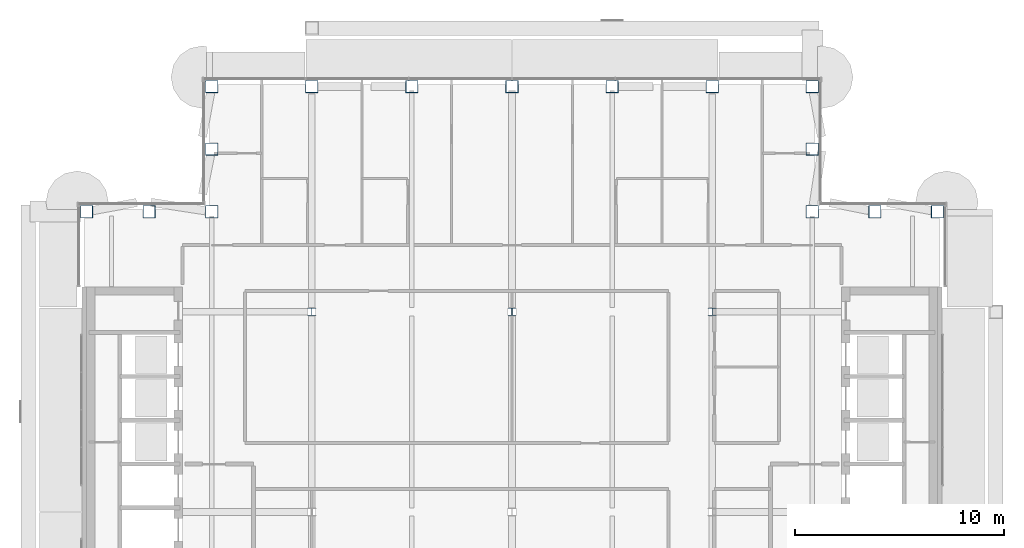
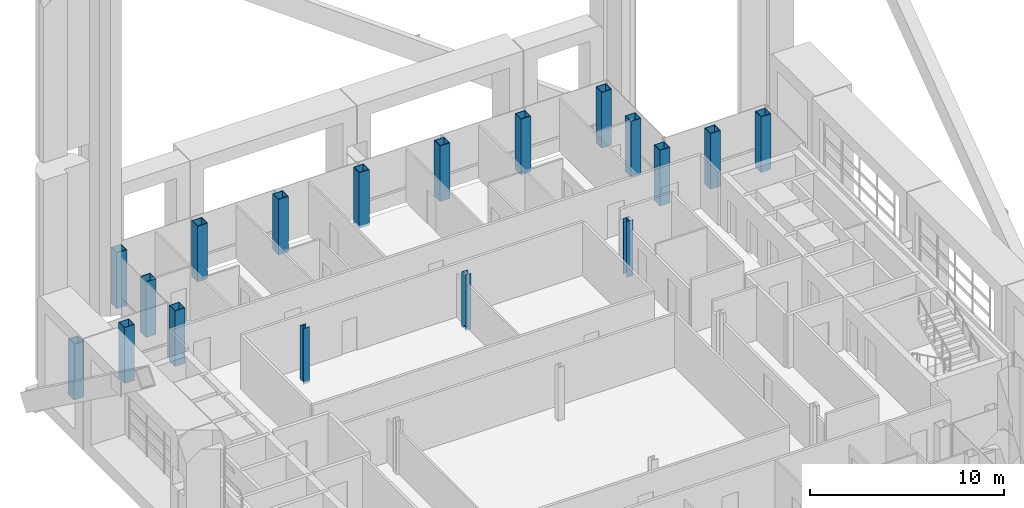
# One storey, part 3 of 29: 18 columns.
"""IFC4 building model written with IfcOpenShell, lengths in metres."""

from ifc_helpers import new_model, si_unit, direction, frame, origin, origin_2d, place, context, subcontext, project, spatial, hollow_rectangle, i_section, extrude, material, material_profile, profile_set, type_object, element, save


model = new_model("IFC4")

# Units and contexts
model_context = context("Model", 3, precision=1e-05, world=origin(), true_north=direction((0.0, 1.0)))
body_context = subcontext(model_context, "Body", "Model", "MODEL_VIEW")
ifc_project = project(units=[si_unit("LENGTHUNIT", "METRE"), si_unit("AREAUNIT", "SQUARE_METRE"), si_unit("VOLUMEUNIT", "CUBIC_METRE"), si_unit("PLANEANGLEUNIT", "RADIAN"), si_unit("MASSUNIT", "GRAM", prefix="KILO")], contexts=[model_context])

# Site, building, storey
site_placement = place(None, origin())
site = spatial("IfcSite", under=ifc_project, at=site_placement, CompositionType="ELEMENT")
building_placement = place(site_placement, origin())
building = spatial("IfcBuilding", under=site, at=building_placement, Name="Cobrizo Arcos Hotel Tower", CompositionType="ELEMENT")
storey_placement = place(building_placement, frame((0.0, 0.0, 241.0)))
storey = spatial("IfcBuildingStorey", under=building, at=storey_placement, Name="L63", CompositionType="ELEMENT", Elevation=241.0)

# Columns
ifc_material_1 = material(Name="Steel ASTM A572 Grade 50", Category="steel")
ifc_material_profile_1 = material_profile(ifc_material_1, hollow_rectangle(XDim=0.60009765625, YDim=0.60009765625, WallThickness=0.030029296875, at=origin_2d()), Name="BOX 600X600X30")
ifc_profile_set_1 = profile_set([ifc_material_profile_1], Name="Steel ASTM A572 Grade 50")
column_type_1 = type_object("IfcColumnType", Name="BOX 600X600X30 column", PredefinedType="COLUMN", material=ifc_profile_set_1)
for number, where, z_axis, x_axis, name in (
    (1, (-14.39990234375, 20.39990234375, -0.14990234375), (0.0, 0.0, 1.0), (1.0, 0.0, 0.0), "Perimeter column C12, L63, no. 00"),
    (2, (-9.60009765625, 20.39990234375, -0.14990234375), (0.0, 0.0, 1.0), (1.0, 0.0, 0.0), "Perimeter column C12, L63, no. 02"),
    (3, (-4.800048828125, 20.39990234375, -0.14990234375), (0.0, 0.0, 1.0), (1.0, 0.0, 0.0), "Perimeter column C12, L63, no. 04"),
    (4, (0.0, 20.39990234375, -0.14990234375), (0.0, 0.0, 1.0), (1.0, 0.0, 0.0), "Perimeter column C12, L63, no. 06"),
    (5, (4.800048828125, 20.39990234375, -0.14990234375), (0.0, 0.0, 1.0), (1.0, 0.0, 0.0), "Perimeter column C12, L63, no. 08"),
    (6, (9.60009765625, 20.39990234375, -0.14990234375), (0.0, 0.0, 1.0), (1.0, 0.0, 0.0), "Perimeter column C12, L63, no. 10"),
    (7, (14.39990234375, 20.39990234375, -0.14990234375), (0.0, 0.0, 1.0), (1.0, 0.0, 0.0), "Perimeter column C12, L63, no. 12"),
    (8, (20.39990234375, 14.39990234375, -0.14990234375), (0.0, 0.0, 1.0), (1.0, 0.0, 0.0), "Perimeter column C12, L63, no. 16"),
    (9, (-20.39990234375, 14.39990234375, -0.14990234375), (0.0, 0.0, 1.0), (1.0, 0.0, 0.0), "Perimeter column C12, L63, no. 17"),
    (10, (-14.39990234375, 14.39990234375, -0.14990234375), (0.0, 0.0, 1.0), (1.0, 0.0, 0.0), "Perimeter column C12, L63, no. 21"),
    (11, (-14.39990234375, 17.39990234375, -0.14990234375), (0.0, 0.0, 1.0), (1.0, 0.0, 0.0), "Perimeter column C12, L63, no. 22"),
    (12, (-17.39990234375, 14.39990234375, -0.14990234375), (0.0, 0.0, 1.0), (1.0, 0.0, 0.0), "Perimeter column C12, L63, no. 23"),
    (13, (14.39990234375, 14.39990234375, -0.14990234375), (0.0, 0.0, 1.0), (1.0, 0.0, 0.0), "Perimeter column C12, L63, no. 27"),
    (14, (14.39990234375, 17.39990234375, -0.14990234375), (0.0, 0.0, 1.0), (1.0, 0.0, 0.0), "Perimeter column C12, L63, no. 28"),
    (15, (17.39990234375, 14.39990234375, -0.14990234375), (0.0, 0.0, 1.0), (1.0, 0.0, 0.0), "Perimeter column C12, L63, no. 29"),
):
    element("IfcColumn", number, at=place(storey_placement, frame(where, z_axis=z_axis, x_axis=x_axis)), inside=storey, type_object=column_type_1, Name=name, PredefinedType="COLUMN", context=body_context, shape_type="SweptSolid", body=[
        extrude(hollow_rectangle(XDim=0.60009765625, YDim=0.60009765625, WallThickness=0.030029296875, at=origin_2d()), origin(), (0.0, 0.0, 1.0), 3.5),
    ])
ifc_material_2 = material(Name="Steel ASTM A992 Grade 50", Category="steel")
ifc_material_profile_2 = material_profile(ifc_material_2, i_section(OverallWidth=0.368408203125, OverallDepth=0.355712890625, WebThickness=0.01123046875, FlangeThickness=0.01806640625, at=origin_2d()), Name="W14X90")
ifc_profile_set_2 = profile_set([ifc_material_profile_2], Name="Steel ASTM A992 Grade 50")
column_type_2 = type_object("IfcColumnType", Name="W14X90 interior column", PredefinedType="COLUMN", material=ifc_profile_set_2)
for number, where, z_axis, x_axis, name in (
    (16, (-9.60009765625, 9.60009765625, -0.14990234375), (0.0, 0.0, 1.0), (1.0, 0.0, 0.0), "Interior column C13, L63, no. 02"),
    (17, (0.0, 9.60009765625, -0.14990234375), (0.0, 0.0, 1.0), (1.0, 0.0, 0.0), "Interior column C13, L63, no. 05"),
    (18, (9.60009765625, 9.60009765625, -0.14990234375), (0.0, 0.0, 1.0), (1.0, 0.0, 0.0), "Interior column C13, L63, no. 08"),
):
    element("IfcColumn", number, at=place(storey_placement, frame(where, z_axis=z_axis, x_axis=x_axis)), inside=storey, type_object=column_type_2, Name=name, PredefinedType="COLUMN", context=body_context, shape_type="SweptSolid", body=[
        extrude(i_section(OverallWidth=0.368408203125, OverallDepth=0.355712890625, WebThickness=0.01123046875, FlangeThickness=0.01806640625, at=origin_2d()), origin(), (0.0, 0.0, 1.0), 3.5),
    ])

save(model, "model.ifc")
